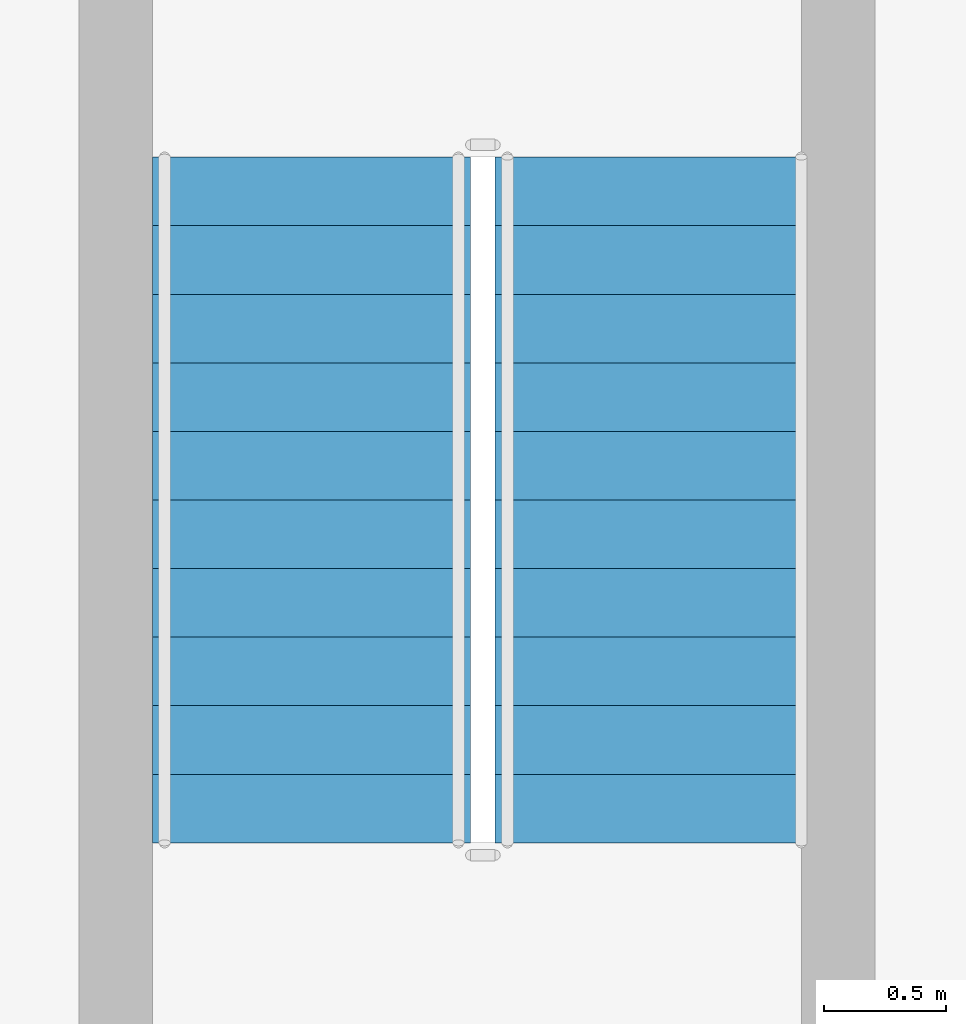
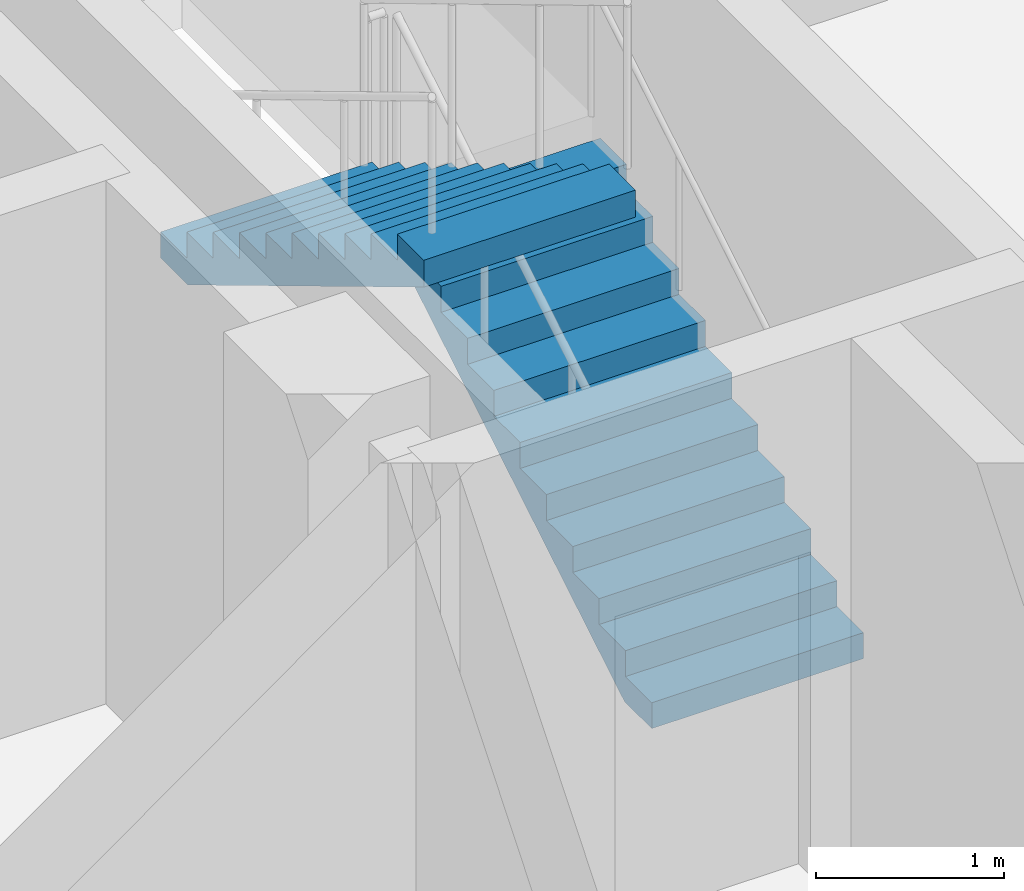
# One storey, part 16 of 24: 2 stair flights, 1 element without a shape of its own.
"""IFC4 building model written with IfcOpenShell, lengths in metres."""

from ifc_helpers import new_model, si_unit, direction, frame, origin, place, context, subcontext, project, spatial, triangles, source, transform, mapped, material, type_object, element, aggregate, save


model = new_model("IFC4")

# Units and contexts
model_context = context("Model", 3, precision=1e-05, world=origin(), true_north=direction((0.0, 1.0)))
body_context = subcontext(model_context, "Body", "Model", "MODEL_VIEW")
ifc_project = project(units=[si_unit("LENGTHUNIT", "METRE"), si_unit("AREAUNIT", "SQUARE_METRE"), si_unit("VOLUMEUNIT", "CUBIC_METRE"), si_unit("PLANEANGLEUNIT", "RADIAN"), si_unit("MASSUNIT", "GRAM", prefix="KILO")], contexts=[model_context])

# Site, building, storey
site_placement = place(None, origin())
site = spatial("IfcSite", under=ifc_project, at=site_placement, CompositionType="ELEMENT")
building_placement = place(site_placement, origin())
building = spatial("IfcBuilding", under=site, at=building_placement, Name="Ogive Portal Towers", CompositionType="ELEMENT")
storey_placement = place(building_placement, frame((0.0, 0.0, 142.199951171875)))
storey = spatial("IfcBuildingStorey", under=building, at=storey_placement, Name="L34", CompositionType="ELEMENT", Elevation=142.199951171875)

# Stair, stair flights
ifc_material = material(Name="Concrete C40/50", Category="concrete")
stair_type = type_object("IfcStairType", Name="INT-STAIR", PredefinedType="HALF_TURN_STAIR", material=ifc_material)
stair_placement = place(storey_placement, origin())
stair = element("IfcStair", 1, at=stair_placement, inside=storey, type_object=stair_type, Name="L34 Exit Stair ST-A3", PredefinedType="HALF_TURN_STAIR")
stair_flight_type = type_object("IfcStairFlightType", Name="INT-FLIGHT", PredefinedType="STRAIGHT", material=ifc_material)
shared_shape = source(origin(), body_context, "Body", "Tessellation", [
    triangles([(0.0, -0.650146484375, 0.0), (0.0, -0.376220703125, 0.0), (0.0, -0.192626953125, 0.0), (0.0, -0.081298828125, 0.0), (0.0, -0.024169921875, 0.0), (0.0, -0.003173828125, 0.0), (0.0, 0.0, 0.0), (0.0, 0.0029296875, 0.0), (0.0, 0.02392578125, 0.0), (0.0, 0.0810546875, 0.0), (0.0, 0.1923828125, 0.0), (0.0, 0.3759765625, 0.0), (0.0, 0.64990234375, 0.0), (0.0, -0.650146484375, 0.168212890625), (0.0, -0.376220703125, 0.168212890625), (0.0, -0.192626953125, 0.168212890625), (0.0, -0.081298828125, 0.168212890625), (0.0, -0.024169921875, 0.168212890625), (0.0, -0.003173828125, 0.168212890625), (0.0, 0.0, 0.168212890625), (0.0, 0.0029296875, 0.168212890625), (0.0, 0.02392578125, 0.168212890625), (0.0, 0.0810546875, 0.168212890625), (0.0, 0.1923828125, 0.168212890625), (0.0, 0.3759765625, 0.168212890625), (0.0, 0.64990234375, 0.168212890625), (0.280029296875, -0.650146484375, 0.168212890625), (0.280029296875, -0.376220703125, 0.168212890625), (0.280029296875, -0.192626953125, 0.168212890625), (0.280029296875, -0.081298828125, 0.168212890625), (0.280029296875, -0.024169921875, 0.168212890625), (0.280029296875, -0.003173828125, 0.168212890625), (0.280029296875, 0.0, 0.168212890625), (0.280029296875, 0.0029296875, 0.168212890625), (0.280029296875, 0.02392578125, 0.168212890625), (0.280029296875, 0.0810546875, 0.168212890625), (0.280029296875, 0.1923828125, 0.168212890625), (0.280029296875, 0.3759765625, 0.168212890625), (0.280029296875, 0.64990234375, 0.168212890625), (0.280029296875, -0.650146484375, 0.33642578125), (0.280029296875, -0.376220703125, 0.33642578125), (0.280029296875, -0.192626953125, 0.33642578125), (0.280029296875, -0.081298828125, 0.33642578125), (0.280029296875, -0.024169921875, 0.33642578125), (0.280029296875, -0.003173828125, 0.33642578125), (0.280029296875, 0.0, 0.33642578125), (0.280029296875, 0.0029296875, 0.33642578125), (0.280029296875, 0.02392578125, 0.33642578125), (0.280029296875, 0.0810546875, 0.33642578125), (0.280029296875, 0.1923828125, 0.33642578125), (0.280029296875, 0.3759765625, 0.33642578125), (0.280029296875, 0.64990234375, 0.33642578125), (0.56005859375, -0.650146484375, 0.33642578125), (0.56005859375, -0.376220703125, 0.33642578125), (0.56005859375, -0.192626953125, 0.33642578125), (0.56005859375, -0.081298828125, 0.33642578125), (0.56005859375, -0.024169921875, 0.33642578125), (0.56005859375, -0.003173828125, 0.33642578125), (0.56005859375, 0.0, 0.33642578125), (0.56005859375, 0.0029296875, 0.33642578125), (0.56005859375, 0.02392578125, 0.33642578125), (0.56005859375, 0.0810546875, 0.33642578125), (0.56005859375, 0.1923828125, 0.33642578125), (0.56005859375, 0.3759765625, 0.33642578125), (0.56005859375, 0.64990234375, 0.33642578125), (0.56005859375, -0.650146484375, 0.504638671875), (0.56005859375, -0.376220703125, 0.504638671875), (0.56005859375, -0.192626953125, 0.504638671875), (0.56005859375, -0.081298828125, 0.504638671875), (0.56005859375, -0.024169921875, 0.504638671875), (0.56005859375, -0.003173828125, 0.504638671875), (0.56005859375, 0.0, 0.504638671875), (0.56005859375, 0.0029296875, 0.504638671875), (0.56005859375, 0.02392578125, 0.504638671875), (0.56005859375, 0.0810546875, 0.504638671875), (0.56005859375, 0.1923828125, 0.504638671875), (0.56005859375, 0.3759765625, 0.504638671875), (0.56005859375, 0.64990234375, 0.504638671875), (0.840087890625, -0.650146484375, 0.504638671875), (0.840087890625, -0.376220703125, 0.504638671875), (0.840087890625, -0.192626953125, 0.504638671875), (0.840087890625, -0.081298828125, 0.504638671875), (0.840087890625, -0.024169921875, 0.504638671875), (0.840087890625, -0.003173828125, 0.504638671875), (0.840087890625, 0.0, 0.504638671875), (0.840087890625, 0.0029296875, 0.504638671875), (0.840087890625, 0.02392578125, 0.504638671875), (0.840087890625, 0.0810546875, 0.504638671875), (0.840087890625, 0.1923828125, 0.504638671875), (0.840087890625, 0.3759765625, 0.504638671875), (0.840087890625, 0.64990234375, 0.504638671875), (0.840087890625, -0.650146484375, 0.672607421875), (0.840087890625, -0.376220703125, 0.672607421875), (0.840087890625, -0.192626953125, 0.672607421875), (0.840087890625, -0.081298828125, 0.672607421875), (0.840087890625, -0.024169921875, 0.672607421875), (0.840087890625, -0.003173828125, 0.672607421875), (0.840087890625, 0.0, 0.672607421875), (0.840087890625, 0.0029296875, 0.672607421875), (0.840087890625, 0.02392578125, 0.672607421875), (0.840087890625, 0.0810546875, 0.672607421875), (0.840087890625, 0.1923828125, 0.672607421875), (0.840087890625, 0.3759765625, 0.672607421875), (0.840087890625, 0.64990234375, 0.672607421875), (1.1201171875, -0.650146484375, 0.672607421875), (1.1201171875, -0.376220703125, 0.672607421875), (1.1201171875, -0.192626953125, 0.672607421875), (1.1201171875, -0.081298828125, 0.672607421875), (1.1201171875, -0.024169921875, 0.672607421875), (1.1201171875, -0.003173828125, 0.672607421875), (1.1201171875, 0.0, 0.672607421875), (1.1201171875, 0.0029296875, 0.672607421875), (1.1201171875, 0.02392578125, 0.672607421875), (1.1201171875, 0.0810546875, 0.672607421875), (1.1201171875, 0.1923828125, 0.672607421875), (1.1201171875, 0.3759765625, 0.672607421875), (1.1201171875, 0.64990234375, 0.672607421875), (1.1201171875, -0.650146484375, 0.8408203125), (1.1201171875, -0.376220703125, 0.8408203125), (1.1201171875, -0.192626953125, 0.8408203125), (1.1201171875, -0.081298828125, 0.8408203125), (1.1201171875, -0.024169921875, 0.8408203125), (1.1201171875, -0.003173828125, 0.8408203125), (1.1201171875, 0.0, 0.8408203125), (1.1201171875, 0.0029296875, 0.8408203125), (1.1201171875, 0.02392578125, 0.8408203125), (1.1201171875, 0.0810546875, 0.8408203125), (1.1201171875, 0.1923828125, 0.8408203125), (1.1201171875, 0.3759765625, 0.8408203125), (1.1201171875, 0.64990234375, 0.8408203125), (1.39990234375, -0.650146484375, 0.8408203125), (1.39990234375, -0.376220703125, 0.8408203125), (1.39990234375, -0.192626953125, 0.8408203125), (1.39990234375, -0.081298828125, 0.8408203125), (1.39990234375, -0.024169921875, 0.8408203125), (1.39990234375, -0.003173828125, 0.8408203125), (1.39990234375, 0.0, 0.8408203125), (1.39990234375, 0.0029296875, 0.8408203125), (1.39990234375, 0.02392578125, 0.8408203125), (1.39990234375, 0.0810546875, 0.8408203125), (1.39990234375, 0.1923828125, 0.8408203125), (1.39990234375, 0.3759765625, 0.8408203125), (1.39990234375, 0.64990234375, 0.8408203125), (1.39990234375, -0.650146484375, 1.009033203125), (1.39990234375, -0.376220703125, 1.009033203125), (1.39990234375, -0.192626953125, 1.009033203125), (1.39990234375, -0.081298828125, 1.009033203125), (1.39990234375, -0.024169921875, 1.009033203125), (1.39990234375, -0.003173828125, 1.009033203125), (1.39990234375, 0.0, 1.009033203125), (1.39990234375, 0.0029296875, 1.009033203125), (1.39990234375, 0.02392578125, 1.009033203125), (1.39990234375, 0.0810546875, 1.009033203125), (1.39990234375, 0.1923828125, 1.009033203125), (1.39990234375, 0.3759765625, 1.009033203125), (1.39990234375, 0.64990234375, 1.009033203125), (1.679931640625, -0.650146484375, 1.009033203125), (1.679931640625, -0.376220703125, 1.009033203125), (1.679931640625, -0.192626953125, 1.009033203125), (1.679931640625, -0.081298828125, 1.009033203125), (1.679931640625, -0.024169921875, 1.009033203125), (1.679931640625, -0.003173828125, 1.009033203125), (1.679931640625, 0.0, 1.009033203125), (1.679931640625, 0.0029296875, 1.009033203125), (1.679931640625, 0.02392578125, 1.009033203125), (1.679931640625, 0.0810546875, 1.009033203125), (1.679931640625, 0.1923828125, 1.009033203125), (1.679931640625, 0.3759765625, 1.009033203125), (1.679931640625, 0.64990234375, 1.009033203125), (1.679931640625, -0.650146484375, 1.17724609375), (1.679931640625, -0.376220703125, 1.17724609375), (1.679931640625, -0.192626953125, 1.17724609375), (1.679931640625, -0.081298828125, 1.17724609375), (1.679931640625, -0.024169921875, 1.17724609375), (1.679931640625, -0.003173828125, 1.17724609375), (1.679931640625, 0.0, 1.17724609375), (1.679931640625, 0.0029296875, 1.17724609375), (1.679931640625, 0.02392578125, 1.17724609375), (1.679931640625, 0.0810546875, 1.17724609375), (1.679931640625, 0.1923828125, 1.17724609375), (1.679931640625, 0.3759765625, 1.17724609375), (1.679931640625, 0.64990234375, 1.17724609375), (1.9599609375, -0.650146484375, 1.17724609375), (1.9599609375, -0.376220703125, 1.17724609375), (1.9599609375, -0.192626953125, 1.17724609375), (1.9599609375, -0.081298828125, 1.17724609375), (1.9599609375, -0.024169921875, 1.17724609375), (1.9599609375, -0.003173828125, 1.17724609375), (1.9599609375, 0.0, 1.17724609375), (1.9599609375, 0.0029296875, 1.17724609375), (1.9599609375, 0.02392578125, 1.17724609375), (1.9599609375, 0.0810546875, 1.17724609375), (1.9599609375, 0.1923828125, 1.17724609375), (1.9599609375, 0.3759765625, 1.17724609375), (1.9599609375, 0.64990234375, 1.17724609375), (1.9599609375, -0.650146484375, 1.345458984375), (1.9599609375, -0.376220703125, 1.345458984375), (1.9599609375, -0.192626953125, 1.345458984375), (1.9599609375, -0.081298828125, 1.345458984375), (1.9599609375, -0.024169921875, 1.345458984375), (1.9599609375, -0.003173828125, 1.345458984375), (1.9599609375, 0.0, 1.345458984375), (1.9599609375, 0.0029296875, 1.345458984375), (1.9599609375, 0.02392578125, 1.345458984375), (1.9599609375, 0.0810546875, 1.345458984375), (1.9599609375, 0.1923828125, 1.345458984375), (1.9599609375, 0.3759765625, 1.345458984375), (1.9599609375, 0.64990234375, 1.345458984375), (2.239990234375, -0.650146484375, 1.345458984375), (2.239990234375, -0.376220703125, 1.345458984375), (2.239990234375, -0.192626953125, 1.345458984375), (2.239990234375, -0.081298828125, 1.345458984375), (2.239990234375, -0.024169921875, 1.345458984375), (2.239990234375, -0.003173828125, 1.345458984375), (2.239990234375, 0.0, 1.345458984375), (2.239990234375, 0.0029296875, 1.345458984375), (2.239990234375, 0.02392578125, 1.345458984375), (2.239990234375, 0.0810546875, 1.345458984375), (2.239990234375, 0.1923828125, 1.345458984375), (2.239990234375, 0.3759765625, 1.345458984375), (2.239990234375, 0.64990234375, 1.345458984375), (2.239990234375, -0.650146484375, 1.513671875), (2.239990234375, -0.376220703125, 1.513671875), (2.239990234375, -0.192626953125, 1.513671875), (2.239990234375, -0.081298828125, 1.513671875), (2.239990234375, -0.024169921875, 1.513671875), (2.239990234375, -0.003173828125, 1.513671875), (2.239990234375, 0.0, 1.513671875), (2.239990234375, 0.0029296875, 1.513671875), (2.239990234375, 0.02392578125, 1.513671875), (2.239990234375, 0.0810546875, 1.513671875), (2.239990234375, 0.1923828125, 1.513671875), (2.239990234375, 0.3759765625, 1.513671875), (2.239990234375, 0.64990234375, 1.513671875), (2.52001953125, -0.650146484375, 1.513671875), (2.52001953125, -0.376220703125, 1.513671875), (2.52001953125, -0.192626953125, 1.513671875), (2.52001953125, -0.081298828125, 1.513671875), (2.52001953125, -0.024169921875, 1.513671875), (2.52001953125, -0.003173828125, 1.513671875), (2.52001953125, 0.0, 1.513671875), (2.52001953125, 0.0029296875, 1.513671875), (2.52001953125, 0.02392578125, 1.513671875), (2.52001953125, 0.0810546875, 1.513671875), (2.52001953125, 0.1923828125, 1.513671875), (2.52001953125, 0.3759765625, 1.513671875), (2.52001953125, 0.64990234375, 1.513671875), (2.52001953125, -0.650146484375, 1.681884765625), (2.52001953125, -0.376220703125, 1.681884765625), (2.52001953125, -0.192626953125, 1.681884765625), (2.52001953125, -0.081298828125, 1.681884765625), (2.52001953125, -0.024169921875, 1.681884765625), (2.52001953125, -0.003173828125, 1.681884765625), (2.52001953125, 0.0, 1.681884765625), (2.52001953125, 0.0029296875, 1.681884765625), (2.52001953125, 0.02392578125, 1.681884765625), (2.52001953125, 0.0810546875, 1.681884765625), (2.52001953125, 0.1923828125, 1.681884765625), (2.52001953125, 0.3759765625, 1.681884765625), (2.52001953125, 0.64990234375, 1.681884765625), (2.800048828125, -0.650146484375, 1.681884765625), (2.800048828125, -0.376220703125, 1.681884765625), (2.800048828125, -0.192626953125, 1.681884765625), (2.800048828125, -0.081298828125, 1.681884765625), (2.800048828125, -0.024169921875, 1.681884765625), (2.800048828125, -0.003173828125, 1.681884765625), (2.800048828125, 0.0, 1.681884765625), (2.800048828125, 0.0029296875, 1.681884765625), (2.800048828125, 0.02392578125, 1.681884765625), (2.800048828125, 0.0810546875, 1.681884765625), (2.800048828125, 0.1923828125, 1.681884765625), (2.800048828125, 0.3759765625, 1.681884765625), (2.800048828125, 0.64990234375, 1.681884765625), (2.800048828125, -0.650146484375, 1.5068359375), (2.800048828125, -0.376220703125, 1.5068359375), (2.800048828125, -0.192626953125, 1.5068359375), (2.800048828125, -0.081298828125, 1.5068359375), (2.800048828125, -0.024169921875, 1.5068359375), (2.800048828125, -0.003173828125, 1.5068359375), (2.800048828125, 0.0, 1.5068359375), (2.800048828125, 0.0029296875, 1.5068359375), (2.800048828125, 0.02392578125, 1.5068359375), (2.800048828125, 0.0810546875, 1.5068359375), (2.800048828125, 0.1923828125, 1.5068359375), (2.800048828125, 0.3759765625, 1.5068359375), (2.800048828125, 0.64990234375, 1.5068359375), (0.291015625, -0.650146484375, 0.0), (0.291015625, -0.376220703125, 0.0), (0.291015625, -0.192626953125, 0.0), (0.291015625, -0.081298828125, 0.0), (0.291015625, -0.024169921875, 0.0), (0.291015625, -0.003173828125, 0.0), (0.291015625, 0.0, 0.0), (0.291015625, 0.0029296875, 0.0), (0.291015625, 0.02392578125, 0.0), (0.291015625, 0.0810546875, 0.0), (0.291015625, 0.1923828125, 0.0), (0.291015625, 0.3759765625, 0.0), (0.291015625, 0.64990234375, 0.0)], [[1, 14, 15], [1, 15, 2], [2, 15, 16], [2, 16, 3], [3, 16, 17], [3, 17, 4], [4, 17, 18], [4, 18, 5], [5, 18, 19], [5, 19, 6], [6, 19, 20], [6, 20, 7], [7, 20, 21], [7, 21, 8], [8, 21, 22], [8, 22, 9], [9, 22, 23], [9, 23, 10], [10, 23, 24], [10, 24, 11], [11, 24, 25], [11, 25, 12], [12, 25, 26], [12, 26, 13], [14, 27, 28], [14, 28, 15], [15, 28, 29], [15, 29, 16], [16, 29, 30], [16, 30, 17], [17, 30, 31], [17, 31, 18], [18, 31, 32], [18, 32, 19], [19, 32, 33], [19, 33, 20], [20, 33, 34], [20, 34, 21], [21, 34, 35], [21, 35, 22], [22, 35, 36], [22, 36, 23], [23, 36, 37], [23, 37, 24], [24, 37, 38], [24, 38, 25], [25, 38, 39], [25, 39, 26], [27, 40, 41], [27, 41, 28], [28, 41, 42], [28, 42, 29], [29, 42, 43], [29, 43, 30], [30, 43, 44], [30, 44, 31], [31, 44, 45], [31, 45, 32], [32, 45, 46], [32, 46, 33], [33, 46, 47], [33, 47, 34], [34, 47, 48], [34, 48, 35], [35, 48, 49], [35, 49, 36], [36, 49, 50], [36, 50, 37], [37, 50, 51], [37, 51, 38], [38, 51, 52], [38, 52, 39], [40, 53, 54], [40, 54, 41], [41, 54, 55], [41, 55, 42], [42, 55, 56], [42, 56, 43], [43, 56, 57], [43, 57, 44], [44, 57, 58], [44, 58, 45], [45, 58, 59], [45, 59, 46], [46, 59, 60], [46, 60, 47], [47, 60, 61], [47, 61, 48], [48, 61, 62], [48, 62, 49], [49, 62, 63], [49, 63, 50], [50, 63, 64], [50, 64, 51], [51, 64, 65], [51, 65, 52], [53, 66, 67], [53, 67, 54], [54, 67, 68], [54, 68, 55], [55, 68, 69], [55, 69, 56], [56, 69, 70], [56, 70, 57], [57, 70, 71], [57, 71, 58], [58, 71, 72], [58, 72, 59], [59, 72, 73], [59, 73, 60], [60, 73, 74], [60, 74, 61], [61, 74, 75], [61, 75, 62], [62, 75, 76], [62, 76, 63], [63, 76, 77], [63, 77, 64], [64, 77, 78], [64, 78, 65], [66, 79, 80], [66, 80, 67], [67, 80, 81], [67, 81, 68], [68, 81, 82], [68, 82, 69], [69, 82, 83], [69, 83, 70], [70, 83, 84], [70, 84, 71], [71, 84, 85], [71, 85, 72], [72, 85, 86], [72, 86, 73], [73, 86, 87], [73, 87, 74], [74, 87, 88], [74, 88, 75], [75, 88, 89], [75, 89, 76], [76, 89, 90], [76, 90, 77], [77, 90, 91], [77, 91, 78], [79, 92, 93], [79, 93, 80], [80, 93, 94], [80, 94, 81], [81, 94, 95], [81, 95, 82], [82, 95, 96], [82, 96, 83], [83, 96, 97], [83, 97, 84], [84, 97, 98], [84, 98, 85], [85, 98, 99], [85, 99, 86], [86, 99, 100], [86, 100, 87], [87, 100, 101], [87, 101, 88], [88, 101, 102], [88, 102, 89], [89, 102, 103], [89, 103, 90], [90, 103, 104], [90, 104, 91], [92, 105, 106], [92, 106, 93], [93, 106, 107], [93, 107, 94], [94, 107, 108], [94, 108, 95], [95, 108, 109], [95, 109, 96], [96, 109, 110], [96, 110, 97], [97, 110, 111], [97, 111, 98], [98, 111, 112], [98, 112, 99], [99, 112, 113], [99, 113, 100], [100, 113, 114], [100, 114, 101], [101, 114, 115], [101, 115, 102], [102, 115, 116], [102, 116, 103], [103, 116, 117], [103, 117, 104], [105, 118, 119], [105, 119, 106], [106, 119, 120], [106, 120, 107], [107, 120, 121], [107, 121, 108], [108, 121, 122], [108, 122, 109], [109, 122, 123], [109, 123, 110], [110, 123, 124], [110, 124, 111], [111, 124, 125], [111, 125, 112], [112, 125, 126], [112, 126, 113], [113, 126, 127], [113, 127, 114], [114, 127, 128], [114, 128, 115], [115, 128, 129], [115, 129, 116], [116, 129, 130], [116, 130, 117], [118, 131, 132], [118, 132, 119], [119, 132, 133], [119, 133, 120], [120, 133, 134], [120, 134, 121], [121, 134, 135], [121, 135, 122], [122, 135, 136], [122, 136, 123], [123, 136, 137], [123, 137, 124], [124, 137, 138], [124, 138, 125], [125, 138, 139], [125, 139, 126], [126, 139, 140], [126, 140, 127], [127, 140, 141], [127, 141, 128], [128, 141, 142], [128, 142, 129], [129, 142, 143], [129, 143, 130], [131, 144, 145], [131, 145, 132], [132, 145, 146], [132, 146, 133], [133, 146, 147], [133, 147, 134], [134, 147, 148], [134, 148, 135], [135, 148, 149], [135, 149, 136], [136, 149, 150], [136, 150, 137], [137, 150, 151], [137, 151, 138], [138, 151, 152], [138, 152, 139], [139, 152, 153], [139, 153, 140], [140, 153, 154], [140, 154, 141], [141, 154, 155], [141, 155, 142], [142, 155, 156], [142, 156, 143], [144, 157, 158], [144, 158, 145], [145, 158, 159], [145, 159, 146], [146, 159, 160], [146, 160, 147], [147, 160, 161], [147, 161, 148], [148, 161, 162], [148, 162, 149], [149, 162, 163], [149, 163, 150], [150, 163, 164], [150, 164, 151], [151, 164, 165], [151, 165, 152], [152, 165, 166], [152, 166, 153], [153, 166, 167], [153, 167, 154], [154, 167, 168], [154, 168, 155], [155, 168, 169], [155, 169, 156], [157, 170, 171], [157, 171, 158], [158, 171, 172], [158, 172, 159], [159, 172, 173], [159, 173, 160], [160, 173, 174], [160, 174, 161], [161, 174, 175], [161, 175, 162], [162, 175, 176], [162, 176, 163], [163, 176, 177], [163, 177, 164], [164, 177, 178], [164, 178, 165], [165, 178, 179], [165, 179, 166], [166, 179, 180], [166, 180, 167], [167, 180, 181], [167, 181, 168], [168, 181, 182], [168, 182, 169], [170, 183, 184], [170, 184, 171], [171, 184, 185], [171, 185, 172], [172, 185, 186], [172, 186, 173], [173, 186, 187], [173, 187, 174], [174, 187, 188], [174, 188, 175], [175, 188, 189], [175, 189, 176], [176, 189, 190], [176, 190, 177], [177, 190, 191], [177, 191, 178], [178, 191, 192], [178, 192, 179], [179, 192, 193], [179, 193, 180], [180, 193, 194], [180, 194, 181], [181, 194, 195], [181, 195, 182], [183, 196, 197], [183, 197, 184], [184, 197, 198], [184, 198, 185], [185, 198, 199], [185, 199, 186], [186, 199, 200], [186, 200, 187], [187, 200, 201], [187, 201, 188], [188, 201, 202], [188, 202, 189], [189, 202, 203], [189, 203, 190], [190, 203, 204], [190, 204, 191], [191, 204, 205], [191, 205, 192], [192, 205, 206], [192, 206, 193], [193, 206, 207], [193, 207, 194], [194, 207, 208], [194, 208, 195], [196, 209, 210], [196, 210, 197], [197, 210, 211], [197, 211, 198], [198, 211, 212], [198, 212, 199], [199, 212, 213], [199, 213, 200], [200, 213, 214], [200, 214, 201], [201, 214, 215], [201, 215, 202], [202, 215, 216], [202, 216, 203], [203, 216, 217], [203, 217, 204], [204, 217, 218], [204, 218, 205], [205, 218, 219], [205, 219, 206], [206, 219, 220], [206, 220, 207], [207, 220, 221], [207, 221, 208], [209, 222, 223], [209, 223, 210], [210, 223, 224], [210, 224, 211], [211, 224, 225], [211, 225, 212], [212, 225, 226], [212, 226, 213], [213, 226, 227], [213, 227, 214], [214, 227, 228], [214, 228, 215], [215, 228, 229], [215, 229, 216], [216, 229, 230], [216, 230, 217], [217, 230, 231], [217, 231, 218], [218, 231, 232], [218, 232, 219], [219, 232, 233], [219, 233, 220], [220, 233, 234], [220, 234, 221], [222, 235, 236], [222, 236, 223], [223, 236, 237], [223, 237, 224], [224, 237, 238], [224, 238, 225], [225, 238, 239], [225, 239, 226], [226, 239, 240], [226, 240, 227], [227, 240, 241], [227, 241, 228], [228, 241, 242], [228, 242, 229], [229, 242, 243], [229, 243, 230], [230, 243, 244], [230, 244, 231], [231, 244, 245], [231, 245, 232], [232, 245, 246], [232, 246, 233], [233, 246, 247], [233, 247, 234], [235, 248, 249], [235, 249, 236], [236, 249, 250], [236, 250, 237], [237, 250, 251], [237, 251, 238], [238, 251, 252], [238, 252, 239], [239, 252, 253], [239, 253, 240], [240, 253, 254], [240, 254, 241], [241, 254, 255], [241, 255, 242], [242, 255, 256], [242, 256, 243], [243, 256, 257], [243, 257, 244], [244, 257, 258], [244, 258, 245], [245, 258, 259], [245, 259, 246], [246, 259, 260], [246, 260, 247], [248, 261, 262], [248, 262, 249], [249, 262, 263], [249, 263, 250], [250, 263, 264], [250, 264, 251], [251, 264, 265], [251, 265, 252], [252, 265, 266], [252, 266, 253], [253, 266, 267], [253, 267, 254], [254, 267, 268], [254, 268, 255], [255, 268, 269], [255, 269, 256], [256, 269, 270], [256, 270, 257], [257, 270, 271], [257, 271, 258], [258, 271, 272], [258, 272, 259], [259, 272, 273], [259, 273, 260], [261, 274, 275], [261, 275, 262], [262, 275, 276], [262, 276, 263], [263, 276, 277], [263, 277, 264], [264, 277, 278], [264, 278, 265], [265, 278, 279], [265, 279, 266], [266, 279, 280], [266, 280, 267], [267, 280, 281], [267, 281, 268], [268, 281, 282], [268, 282, 269], [269, 282, 283], [269, 283, 270], [270, 283, 284], [270, 284, 271], [271, 284, 285], [271, 285, 272], [272, 285, 286], [272, 286, 273], [274, 287, 288], [274, 288, 275], [275, 288, 289], [275, 289, 276], [276, 289, 290], [276, 290, 277], [277, 290, 291], [277, 291, 278], [278, 291, 292], [278, 292, 279], [279, 292, 293], [279, 293, 280], [280, 293, 294], [280, 294, 281], [281, 294, 295], [281, 295, 282], [282, 295, 296], [282, 296, 283], [283, 296, 297], [283, 297, 284], [284, 297, 298], [284, 298, 285], [285, 298, 299], [285, 299, 286], [287, 1, 2], [287, 2, 288], [288, 2, 3], [288, 3, 289], [289, 3, 4], [289, 4, 290], [290, 4, 5], [290, 5, 291], [291, 5, 6], [291, 6, 292], [292, 6, 7], [292, 7, 293], [293, 7, 8], [293, 8, 294], [294, 8, 9], [294, 9, 295], [295, 9, 10], [295, 10, 296], [296, 10, 11], [296, 11, 297], [297, 11, 12], [297, 12, 298], [298, 12, 13], [298, 13, 299], [1, 287, 274], [13, 286, 299], [274, 261, 248], [286, 260, 273], [274, 248, 235], [286, 247, 260], [274, 235, 222], [286, 234, 247], [274, 222, 209], [286, 221, 234], [209, 196, 183], [221, 195, 208], [274, 209, 183], [286, 195, 221], [183, 170, 157], [195, 169, 182], [274, 183, 157], [286, 169, 195], [157, 144, 131], [169, 143, 156], [274, 157, 131], [286, 143, 169], [131, 118, 105], [143, 117, 130], [274, 131, 105], [286, 117, 143], [1, 274, 105], [13, 117, 286], [105, 92, 79], [117, 91, 104], [79, 66, 53], [91, 65, 78], [105, 79, 53], [117, 65, 91], [53, 40, 27], [65, 39, 52], [105, 53, 27], [117, 39, 65], [1, 105, 27], [13, 39, 117], [27, 14, 1], [39, 13, 26]], closed=True),
])
stair_flight_1_placement = place(storey_placement, frame((43.550048828125, 67.199951171875, 0.0), z_axis=(0.0, 0.0, 1.0), x_axis=(0.0, 1.0, 0.0)))
stair_flight_1 = element("IfcStairFlight", 2, at=stair_flight_1_placement, type_object=stair_flight_type, Name="ST-A3 flight 1", NumberOfRisers=11, NumberOfTreads=10, PredefinedType="STRAIGHT", RiserHeight=0.168181818, TreadLength=0.28, context=body_context, shape_type="MappedRepresentation", body=[
    mapped(shared_shape, transform((0.0, 0.0, 0.0), scale=1.0)),
])
stair_flight_2_placement = place(storey_placement, frame((42.14990234375, 70.0, 1.85009765625), z_axis=(0.0, 0.0, 1.0), x_axis=(0.0, -1.0, 0.0)))
stair_flight_2 = element("IfcStairFlight", 3, at=stair_flight_2_placement, type_object=stair_flight_type, Name="ST-A3 flight 2", NumberOfRisers=11, NumberOfTreads=10, PredefinedType="STRAIGHT", RiserHeight=0.168181818, TreadLength=0.28, context=body_context, shape_type="MappedRepresentation", body=[
    mapped(shared_shape, transform((0.0, 0.0, 0.0), scale=1.0)),
])
aggregate(stair, [stair_flight_1, stair_flight_2])

save(model, "model.ifc")
